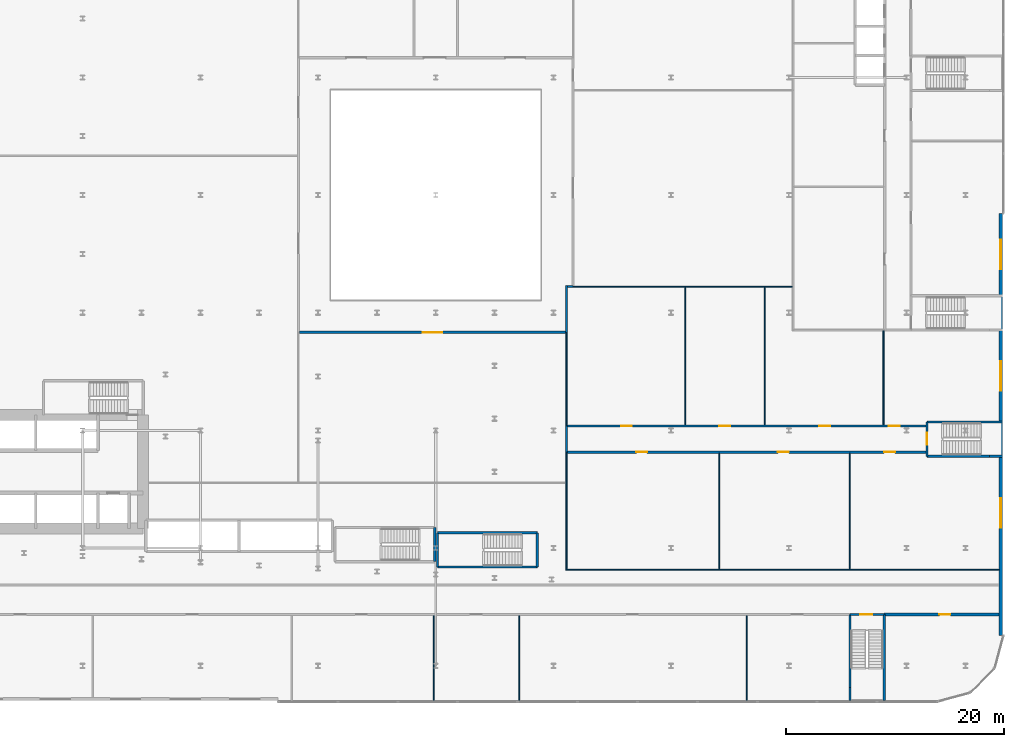
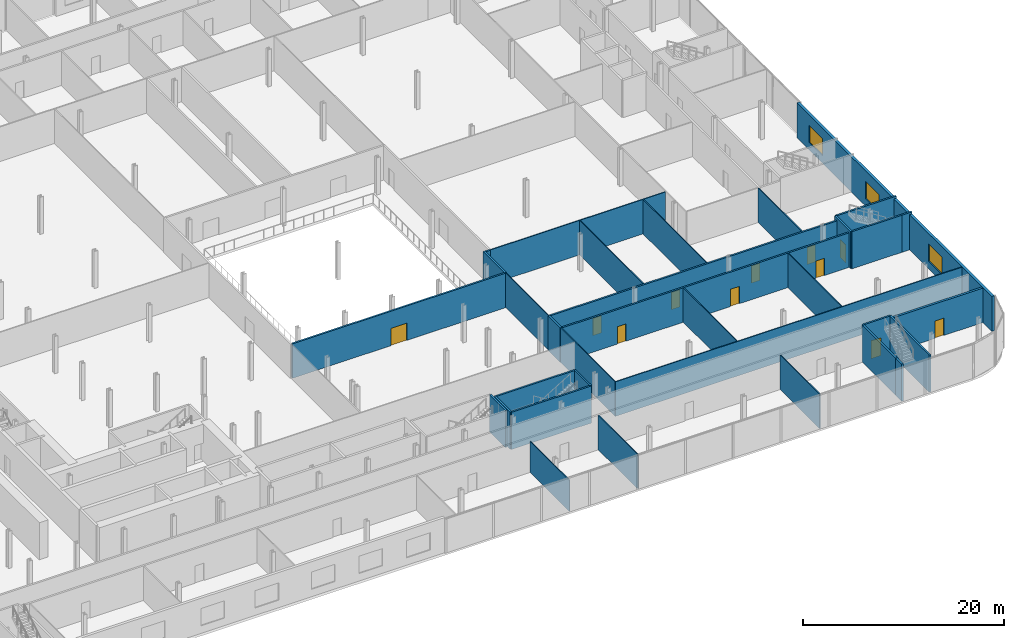
# One storey, part 32 of 47: 33 walls, 11 doors, 3 windows, 14 openings.
"""IFC4 building model written with IfcOpenShell, lengths in metres."""

from ifc_helpers import new_model, si_unit, direction, frame, frame_2d, origin, place, context, subcontext, project, spatial, rectangle, extrude, source, transform, mapped, material, layer, layer_set, type_object, element, fill, save


model = new_model("IFC4")

# Units and contexts
model_context = context("Model", 3, precision=1e-05, world=origin(), true_north=direction((0.0, 1.0)))
body_context = subcontext(model_context, "Body", "Model", "MODEL_VIEW")
ifc_project = project(units=[si_unit("LENGTHUNIT", "METRE"), si_unit("AREAUNIT", "SQUARE_METRE"), si_unit("VOLUMEUNIT", "CUBIC_METRE"), si_unit("PLANEANGLEUNIT", "RADIAN"), si_unit("MASSUNIT", "GRAM", prefix="KILO")], contexts=[model_context])

# Site, building, storey
site_placement = place(None, origin())
site = spatial("IfcSite", under=ifc_project, at=site_placement, CompositionType="ELEMENT")
building_placement = place(site_placement, origin())
building = spatial("IfcBuilding", under=site, at=building_placement, Name="Kheshtan School and Residences Tower", CompositionType="ELEMENT")
storey_placement = place(building_placement, frame((0.0, 0.0, 17.0)))
storey = spatial("IfcBuildingStorey", under=building, at=storey_placement, Name="L03", CompositionType="ELEMENT", Elevation=17.0)

# Wall, opening, door
ifc_material_1 = material(Name="Gypsum board on steel studs with fire boards", Category="steel")
ifc_layer_1 = layer(ifc_material_1, 0.199951171875)
ifc_layer_set_1 = layer_set([ifc_layer_1], Name="Corridor wall 200")
wall_type_1 = type_object("IfcWallType", Name="Corridor wall 200", PredefinedType="PARTITIONING", material=ifc_layer_set_1)
wall_1_placement = place(storey_placement, frame((67.5, 43.800048828125, 0.0), z_axis=(0.0, 0.0, 1.0), x_axis=(1.0, 0.0, 0.0)))
wall_1 = element("IfcWall", 1, at=wall_1_placement, inside=storey, type_object=wall_type_1, Name="Partition L03-032", PredefinedType="PARTITIONING", context=body_context, shape_type="SweptSolid", body=[
    extrude(rectangle(XDim=24.39990234375, YDim=0.199951171875, at=frame_2d((12.199951171875, 0.0))), origin(), (0.0, 0.0, 1.0), 4.179931640625),
])
opening_1_placement = place(wall_1_placement, frame((11.300048828125, 0.0, 0.0)))
opening_1 = element("IfcOpeningElement", 2, at=opening_1_placement, cuts=wall_1, Name="Opening D03-044", PredefinedType="OPENING", context=body_context, shape_type="SweptSolid", body=[
    extrude(rectangle(XDim=1.800048828125, YDim=2.10009765625, at=frame_2d((0.89990234375, 1.050048828125))), frame((0.0, 0.10986328125, 0.0), z_axis=(0.0, -1.0, 0.0), x_axis=(1.0, 0.0, 0.0)), (0.0, 0.0, 1.0), 0.219970703125),
])
ifc_material_2 = material(Name="Steel-framed fire-resisting door leaf", Category="steel")
door_type_1 = type_object("IfcDoorType", Name="Fire double door FD60 1800 x 2100", OperationType="DOUBLE_DOOR_SINGLE_SWING", PredefinedType="DOOR", material=ifc_material_2)
shared_shape_1 = source(origin(), body_context, "Body", "SweptSolid", [
    extrude(rectangle(XDim=1.800048828125, YDim=2.10009765625, at=frame_2d((0.89990234375, 1.050048828125))), frame((0.0, 0.02490234375, 0.0), z_axis=(0.0, -1.0, 0.0), x_axis=(1.0, 0.0, 0.0)), (0.0, 0.0, 1.0), 0.050048828125),
])
door_1_placement = place(opening_1_placement, origin())
door_1 = element("IfcDoor", 3, at=door_1_placement, inside=storey, type_object=door_type_1, Name="Door D03-044", OperationType="DOUBLE_DOOR_SINGLE_SWING", OverallHeight=2.10009765625, OverallWidth=1.800048828125, PredefinedType="DOOR", context=body_context, shape_type="MappedRepresentation", body=[
    mapped(shared_shape_1, transform((0.0, 0.0, 0.0), x_axis=(1.0, 0.0, 0.0), y_axis=(0.0, 1.0, 0.0), z_axis=(0.0, 0.0, 1.0), scale=1.0)),
])
fill(opening_1, door_1)

# Walls
wall_2_placement = place(storey_placement, frame((92.0, 32.800048828125, 0.0), z_axis=(0.0, 0.0, 1.0), x_axis=(0.0, 1.0, 0.0)))
element("IfcWall", 4, at=wall_2_placement, inside=storey, type_object=wall_type_1, Name="Partition L03-047", PredefinedType="PARTITIONING", context=body_context, shape_type="SweptSolid", body=[
    extrude(rectangle(XDim=2.39990234375, YDim=0.199951171875, at=frame_2d((1.199951171875, 0.0))), origin(), (0.0, 0.0, 1.0), 4.179931640625),
])
wall_3_placement = place(storey_placement, frame((92.0, 43.800048828125, 0.0), z_axis=(0.0, 0.0, 1.0), x_axis=(0.0, 1.0, 0.0)))
element("IfcWall", 5, at=wall_3_placement, inside=storey, type_object=wall_type_1, Name="Partition L03-049", PredefinedType="PARTITIONING", context=body_context, shape_type="SweptSolid", body=[
    extrude(rectangle(XDim=4.300048828125, YDim=0.199951171875, at=frame_2d((2.14990234375, 0.0))), origin(), (0.0, 0.0, 1.0), 4.179931640625),
])

# Wall, openings, doors
wall_4_placement = place(storey_placement, frame((92.10009765625, 32.800048828125, 0.0), z_axis=(0.0, 0.0, 1.0), x_axis=(1.0, 0.0, 0.0)))
wall_4 = element("IfcWall", 6, at=wall_4_placement, inside=storey, type_object=wall_type_1, Name="Partition L03-050", PredefinedType="PARTITIONING", context=body_context, shape_type="SweptSolid", body=[
    extrude(rectangle(XDim=32.880859375, YDim=0.199951171875, at=frame_2d((16.4404296875, 0.0))), origin(), (0.0, 0.0, 1.0), 4.179931640625),
])
opening_2_placement = place(wall_4_placement, frame((6.300048828125, 0.0, 0.0)))
opening_2 = element("IfcOpeningElement", 7, at=opening_2_placement, cuts=wall_4, Name="Opening D03-045", PredefinedType="OPENING", context=body_context, shape_type="SweptSolid", body=[
    extrude(rectangle(XDim=1.0, YDim=2.10009765625, at=frame_2d((0.5, 1.050048828125))), frame((0.0, 0.10986328125, 0.0), z_axis=(0.0, -1.0, 0.0), x_axis=(1.0, 0.0, 0.0)), (0.0, 0.0, 1.0), 0.219970703125),
])
opening_3_placement = place(wall_4_placement, frame((19.300048828125, 0.0, 0.0)))
opening_3 = element("IfcOpeningElement", 8, at=opening_3_placement, cuts=wall_4, Name="Opening D03-046", PredefinedType="OPENING", context=body_context, shape_type="SweptSolid", body=[
    extrude(rectangle(XDim=1.0, YDim=2.10009765625, at=frame_2d((0.5, 1.050048828125))), frame((0.0, 0.10986328125, 0.0), z_axis=(0.0, -1.0, 0.0), x_axis=(1.0, 0.0, 0.0)), (0.0, 0.0, 1.0), 0.219970703125),
])
opening_4_placement = place(wall_4_placement, frame((29.050048828125, 0.0, 0.0)))
opening_4 = element("IfcOpeningElement", 9, at=opening_4_placement, cuts=wall_4, Name="Opening D03-047", PredefinedType="OPENING", context=body_context, shape_type="SweptSolid", body=[
    extrude(rectangle(XDim=1.0, YDim=2.10009765625, at=frame_2d((0.5, 1.050048828125))), frame((0.0, 0.10986328125, 0.0), z_axis=(0.0, -1.0, 0.0), x_axis=(1.0, 0.0, 0.0)), (0.0, 0.0, 1.0), 0.219970703125),
])
door_type_2 = type_object("IfcDoorType", Name="Fire door FD60 1000 x 2100", OperationType="SINGLE_SWING_LEFT", PredefinedType="DOOR", material=ifc_material_2)
shared_shape_2 = source(origin(), body_context, "Body", "SweptSolid", [
    extrude(rectangle(XDim=1.0, YDim=2.10009765625, at=frame_2d((0.5, 1.050048828125))), frame((0.0, 0.02490234375, 0.0), z_axis=(0.0, -1.0, 0.0), x_axis=(1.0, 0.0, 0.0)), (0.0, 0.0, 1.0), 0.050048828125),
])
door_2_placement = place(opening_2_placement, origin())
door_2 = element("IfcDoor", 10, at=door_2_placement, inside=storey, type_object=door_type_2, Name="Door D03-045", OperationType="SINGLE_SWING_RIGHT", OverallHeight=2.10009765625, OverallWidth=1.0, PredefinedType="DOOR", context=body_context, shape_type="MappedRepresentation", body=[
    mapped(shared_shape_2, transform((0.0, 0.0, 0.0), x_axis=(1.0, 0.0, 0.0), y_axis=(0.0, 1.0, 0.0), z_axis=(0.0, 0.0, 1.0), scale=1.0)),
])
fill(opening_2, door_2)
door_3_placement = place(opening_3_placement, origin())
door_3 = element("IfcDoor", 11, at=door_3_placement, inside=storey, type_object=door_type_2, Name="Door D03-046", OperationType="SINGLE_SWING_RIGHT", OverallHeight=2.10009765625, OverallWidth=1.0, PredefinedType="DOOR", context=body_context, shape_type="MappedRepresentation", body=[
    mapped(shared_shape_2, transform((0.0, 0.0, 0.0), x_axis=(1.0, 0.0, 0.0), y_axis=(0.0, 1.0, 0.0), z_axis=(0.0, 0.0, 1.0), scale=1.0)),
])
fill(opening_3, door_3)
door_4_placement = place(opening_4_placement, origin())
door_4 = element("IfcDoor", 12, at=door_4_placement, inside=storey, type_object=door_type_2, Name="Door D03-047", OperationType="SINGLE_SWING_LEFT", OverallHeight=2.10009765625, OverallWidth=1.0, PredefinedType="DOOR", context=body_context, shape_type="MappedRepresentation", body=[
    mapped(shared_shape_2, transform((0.0, 0.0, 0.0), x_axis=(1.0, 0.0, 0.0), y_axis=(0.0, 1.0, 0.0), z_axis=(0.0, 0.0, 1.0), scale=1.0)),
])
fill(opening_4, door_4)

wall_5_placement = place(storey_placement, frame((92.10009765625, 35.199951171875, 0.0), z_axis=(0.0, 0.0, 1.0), x_axis=(1.0, 0.0, 0.0)))
wall_5 = element("IfcWall", 13, at=wall_5_placement, inside=storey, type_object=wall_type_1, Name="Partition L03-051", PredefinedType="PARTITIONING", context=body_context, shape_type="SweptSolid", body=[
    extrude(rectangle(XDim=32.8798828125, YDim=0.199951171875, at=frame_2d((16.43994140625, 0.0))), origin(), (0.0, 0.0, 1.0), 4.179931640625),
])
opening_5_placement = place(wall_5_placement, frame((4.908935546875, 0.0, 0.0)))
opening_5 = element("IfcOpeningElement", 14, at=opening_5_placement, cuts=wall_5, Name="Opening D03-048", PredefinedType="OPENING", context=body_context, shape_type="SweptSolid", body=[
    extrude(rectangle(XDim=1.0, YDim=2.10009765625, at=frame_2d((0.5, 1.050048828125))), frame((0.0, 0.10986328125, 0.0), z_axis=(0.0, -1.0, 0.0), x_axis=(1.0, 0.0, 0.0)), (0.0, 0.0, 1.0), 0.219970703125),
])
opening_6_placement = place(wall_5_placement, frame((13.931884765625, 0.0, 0.0)))
opening_6 = element("IfcOpeningElement", 15, at=opening_6_placement, cuts=wall_5, Name="Opening D03-049", PredefinedType="OPENING", context=body_context, shape_type="SweptSolid", body=[
    extrude(rectangle(XDim=1.0, YDim=2.10009765625, at=frame_2d((0.5, 1.050048828125))), frame((0.0, 0.10986328125, 0.0), z_axis=(0.0, -1.0, 0.0), x_axis=(1.0, 0.0, 0.0)), (0.0, 0.0, 1.0), 0.219970703125),
])
opening_7_placement = place(wall_5_placement, frame((23.091064453125, 0.0, 0.0)))
opening_7 = element("IfcOpeningElement", 16, at=opening_7_placement, cuts=wall_5, Name="Opening D03-050", PredefinedType="OPENING", context=body_context, shape_type="SweptSolid", body=[
    extrude(rectangle(XDim=1.0, YDim=2.10009765625, at=frame_2d((0.5, 1.050048828125))), frame((0.0, 0.10986328125, 0.0), z_axis=(0.0, -1.0, 0.0), x_axis=(1.0, 0.0, 0.0)), (0.0, 0.0, 1.0), 0.219970703125),
])
opening_8_placement = place(wall_5_placement, frame((29.47705078125, 0.0, 0.0)))
opening_8 = element("IfcOpeningElement", 17, at=opening_8_placement, cuts=wall_5, Name="Opening D03-051", PredefinedType="OPENING", context=body_context, shape_type="SweptSolid", body=[
    extrude(rectangle(XDim=1.0, YDim=2.10009765625, at=frame_2d((0.5, 1.050048828125))), frame((0.0, 0.10986328125, 0.0), z_axis=(0.0, -1.0, 0.0), x_axis=(1.0, 0.0, 0.0)), (0.0, 0.0, 1.0), 0.219970703125),
])
door_5_placement = place(opening_5_placement, origin())
door_5 = element("IfcDoor", 18, at=door_5_placement, inside=storey, type_object=door_type_2, Name="Door D03-048", OperationType="SINGLE_SWING_LEFT", OverallHeight=2.10009765625, OverallWidth=1.0, PredefinedType="DOOR", context=body_context, shape_type="MappedRepresentation", body=[
    mapped(shared_shape_2, transform((0.0, 0.0, 0.0), x_axis=(1.0, 0.0, 0.0), y_axis=(0.0, 1.0, 0.0), z_axis=(0.0, 0.0, 1.0), scale=1.0)),
])
fill(opening_5, door_5)
door_6_placement = place(opening_6_placement, origin())
door_6 = element("IfcDoor", 19, at=door_6_placement, inside=storey, type_object=door_type_2, Name="Door D03-049", OperationType="SINGLE_SWING_LEFT", OverallHeight=2.10009765625, OverallWidth=1.0, PredefinedType="DOOR", context=body_context, shape_type="MappedRepresentation", body=[
    mapped(shared_shape_2, transform((0.0, 0.0, 0.0), x_axis=(1.0, 0.0, 0.0), y_axis=(0.0, 1.0, 0.0), z_axis=(0.0, 0.0, 1.0), scale=1.0)),
])
fill(opening_6, door_6)
door_7_placement = place(opening_7_placement, origin())
door_7 = element("IfcDoor", 20, at=door_7_placement, inside=storey, type_object=door_type_2, Name="Door D03-050", OperationType="SINGLE_SWING_LEFT", OverallHeight=2.10009765625, OverallWidth=1.0, PredefinedType="DOOR", context=body_context, shape_type="MappedRepresentation", body=[
    mapped(shared_shape_2, transform((0.0, 0.0, 0.0), x_axis=(1.0, 0.0, 0.0), y_axis=(0.0, 1.0, 0.0), z_axis=(0.0, 0.0, 1.0), scale=1.0)),
])
fill(opening_7, door_7)
door_8_placement = place(opening_8_placement, origin())
door_8 = element("IfcDoor", 21, at=door_8_placement, inside=storey, type_object=door_type_2, Name="Door D03-051", OperationType="SINGLE_SWING_LEFT", OverallHeight=2.10009765625, OverallWidth=1.0, PredefinedType="DOOR", context=body_context, shape_type="MappedRepresentation", body=[
    mapped(shared_shape_2, transform((0.0, 0.0, 0.0), x_axis=(1.0, 0.0, 0.0), y_axis=(0.0, 1.0, 0.0), z_axis=(0.0, 0.0, 1.0), scale=1.0)),
])
fill(opening_8, door_8)

# Walls
wall_6_placement = place(storey_placement, frame((92.10009765625, 48.0, 0.0), z_axis=(0.0, 0.0, 1.0), x_axis=(1.0, 0.0, 0.0)))
element("IfcWall", 22, at=wall_6_placement, inside=storey, type_object=wall_type_1, Name="Partition L03-052", PredefinedType="PARTITIONING", context=body_context, shape_type="SweptSolid", body=[
    extrude(rectangle(XDim=0.5, YDim=0.199951171875, at=frame_2d((0.25, 0.0))), origin(), (0.0, 0.0, 1.0), 4.179931640625),
])
ifc_material_3 = material(Name="Gypsum board on steel studs", Category="steel")
ifc_layer_2 = layer(ifc_material_3, 0.10009765625)
ifc_layer_set_2 = layer_set([ifc_layer_2], Name="Gypsum partition 100")
wall_type_2 = type_object("IfcWallType", Name="Gypsum partition 100", PredefinedType="PARTITIONING", material=ifc_layer_set_2)
wall_7_placement = place(storey_placement, frame((79.825927734375, 10.0, 0.0), z_axis=(0.0, 0.0, 1.0), x_axis=(0.0, 1.0, 0.0)))
element("IfcWall", 23, at=wall_7_placement, inside=storey, type_object=wall_type_2, Name="Partition L03-038", PredefinedType="PARTITIONING", context=body_context, shape_type="SweptSolid", body=[
    extrude(rectangle(XDim=7.800048828125, YDim=0.10009765625, at=frame_2d((3.89990234375, 0.0))), origin(), (0.0, 0.0, 1.0), 3.762939453125),
])
wall_8_placement = place(storey_placement, frame((87.652099609375, 10.0, 0.0), z_axis=(0.0, 0.0, 1.0), x_axis=(0.0, 1.0, 0.0)))
element("IfcWall", 24, at=wall_8_placement, inside=storey, type_object=wall_type_2, Name="Partition L03-044", PredefinedType="PARTITIONING", context=body_context, shape_type="SweptSolid", body=[
    extrude(rectangle(XDim=7.800048828125, YDim=0.10009765625, at=frame_2d((3.89990234375, 0.0))), origin(), (0.0, 0.0, 1.0), 4.179931640625),
])
wall_9_placement = place(storey_placement, frame((91.949951171875, 22.0, 0.0), z_axis=(0.0, 0.0, 1.0), x_axis=(1.0, 0.0, 0.0)))
element("IfcWall", 25, at=wall_9_placement, inside=storey, type_object=wall_type_2, Name="Partition L03-045", PredefinedType="PARTITIONING", context=body_context, shape_type="SweptSolid", body=[
    extrude(rectangle(XDim=39.7509765625, YDim=0.10009765625, at=frame_2d((19.87548828125, 0.0))), origin(), (0.0, 0.0, 1.0), 4.179931640625),
])
wall_10_placement = place(storey_placement, frame((92.0, 22.050048828125, 0.0), z_axis=(0.0, 0.0, 1.0), x_axis=(0.0, 1.0, 0.0)))
element("IfcWall", 26, at=wall_10_placement, inside=storey, type_object=wall_type_2, Name="Partition L03-046", PredefinedType="PARTITIONING", context=body_context, shape_type="SweptSolid", body=[
    extrude(rectangle(XDim=10.75, YDim=0.10009765625, at=frame_2d((5.375, 0.0))), origin(), (0.0, 0.0, 1.0), 4.179931640625),
])
wall_11_placement = place(storey_placement, frame((92.0, 35.199951171875, 0.0), z_axis=(0.0, 0.0, 1.0), x_axis=(0.0, 1.0, 0.0)))
element("IfcWall", 27, at=wall_11_placement, inside=storey, type_object=wall_type_2, Name="Partition L03-048", PredefinedType="PARTITIONING", context=body_context, shape_type="SweptSolid", body=[
    extrude(rectangle(XDim=8.60009765625, YDim=0.10009765625, at=frame_2d((4.300048828125, 0.0))), origin(), (0.0, 0.0, 1.0), 4.179931640625),
])
wall_12_placement = place(storey_placement, frame((92.60009765625, 48.0, 0.0), z_axis=(0.0, 0.0, 1.0), x_axis=(1.0, 0.0, 0.0)))
element("IfcWall", 28, at=wall_12_placement, inside=storey, type_object=wall_type_2, Name="Partition L03-053", PredefinedType="PARTITIONING", context=body_context, shape_type="SweptSolid", body=[
    extrude(rectangle(XDim=20.137939453125, YDim=0.10009765625, at=frame_2d((10.06884765625, 0.0))), origin(), (0.0, 0.0, 1.0), 4.179931640625),
])
wall_13_placement = place(storey_placement, frame((102.908935546875, 35.300048828125, 0.0), z_axis=(0.0, 0.0, 1.0), x_axis=(0.0, 1.0, 0.0)))
element("IfcWall", 29, at=wall_13_placement, inside=storey, type_object=wall_type_2, Name="Partition L03-061", PredefinedType="PARTITIONING", context=body_context, shape_type="SweptSolid", body=[
    extrude(rectangle(XDim=12.64990234375, YDim=0.10009765625, at=frame_2d((6.324951171875, 0.0))), origin(), (0.0, 0.0, 1.0), 4.179931640625),
])
wall_14_placement = place(storey_placement, frame((106.0, 22.050048828125, 0.0), z_axis=(0.0, 0.0, 1.0), x_axis=(0.0, 1.0, 0.0)))
element("IfcWall", 30, at=wall_14_placement, inside=storey, type_object=wall_type_2, Name="Partition L03-062", PredefinedType="PARTITIONING", context=body_context, shape_type="SweptSolid", body=[
    extrude(rectangle(XDim=10.64990234375, YDim=0.10009765625, at=frame_2d((5.324951171875, 0.0))), origin(), (0.0, 0.0, 1.0), 4.179931640625),
])
wall_15_placement = place(storey_placement, frame((108.52197265625, 10.0, 0.0), z_axis=(0.0, 0.0, 1.0), x_axis=(0.0, 1.0, 0.0)))
element("IfcWall", 31, at=wall_15_placement, inside=storey, type_object=wall_type_2, Name="Partition L03-064", PredefinedType="PARTITIONING", context=body_context, shape_type="SweptSolid", body=[
    extrude(rectangle(XDim=7.800048828125, YDim=0.10009765625, at=frame_2d((3.89990234375, 0.0))), origin(), (0.0, 0.0, 1.0), 4.179931640625),
])
wall_16_placement = place(storey_placement, frame((110.181884765625, 35.300048828125, 0.0), z_axis=(0.0, 0.0, 1.0), x_axis=(0.0, 1.0, 0.0)))
element("IfcWall", 32, at=wall_16_placement, inside=storey, type_object=wall_type_2, Name="Partition L03-065", PredefinedType="PARTITIONING", context=body_context, shape_type="SweptSolid", body=[
    extrude(rectangle(XDim=12.64990234375, YDim=0.10009765625, at=frame_2d((6.324951171875, 0.0))), origin(), (0.0, 0.0, 1.0), 4.179931640625),
])
wall_17_placement = place(storey_placement, frame((118.0, 22.050048828125, 0.0), z_axis=(0.0, 0.0, 1.0), x_axis=(0.0, 1.0, 0.0)))
element("IfcWall", 33, at=wall_17_placement, inside=storey, type_object=wall_type_2, Name="Partition L03-074", PredefinedType="PARTITIONING", context=body_context, shape_type="SweptSolid", body=[
    extrude(rectangle(XDim=10.64990234375, YDim=0.10009765625, at=frame_2d((5.324951171875, 0.0))), origin(), (0.0, 0.0, 1.0), 4.179931640625),
])
wall_18_placement = place(storey_placement, frame((121.091064453125, 35.300048828125, 0.0), z_axis=(0.0, 0.0, 1.0), x_axis=(0.0, 1.0, 0.0)))
element("IfcWall", 34, at=wall_18_placement, inside=storey, type_object=wall_type_2, Name="Partition L03-079", PredefinedType="PARTITIONING", context=body_context, shape_type="SweptSolid", body=[
    extrude(rectangle(XDim=8.637939453125, YDim=0.10009765625, at=frame_2d((4.31884765625, 0.0))), origin(), (0.0, 0.0, 1.0), 4.179931640625),
])

# Wall, opening, door
ifc_material_4 = material(Name="Fire-board and steel stud wall with mineral wool", Category="steel")
ifc_layer_3 = layer(ifc_material_4, 0.25)
ifc_layer_set_3 = layer_set([ifc_layer_3], Name="Plant room wall 250")
wall_type_3 = type_object("IfcWallType", Name="Plant room wall 250", PredefinedType="PARTITIONING", material=ifc_layer_set_3)
wall_19_placement = place(storey_placement, frame((121.14990234375, 17.89990234375, 0.0), z_axis=(0.0, 0.0, 1.0), x_axis=(1.0, 0.0, 0.0)))
wall_19 = element("IfcWall", 35, at=wall_19_placement, inside=storey, type_object=wall_type_3, Name="Partition L03-080", PredefinedType="PARTITIONING", context=body_context, shape_type="SweptSolid", body=[
    extrude(rectangle(XDim=10.551025390625, YDim=0.25, at=frame_2d((5.275390625, 0.0))), origin(), (0.0, 0.0, 1.0), 4.179931640625),
])
opening_9_placement = place(wall_19_placement, frame((5.06494140625, 0.0, 0.0)))
opening_9 = element("IfcOpeningElement", 36, at=opening_9_placement, cuts=wall_19, Name="Opening D03-043", PredefinedType="OPENING", context=body_context, shape_type="SweptSolid", body=[
    extrude(rectangle(XDim=1.0, YDim=2.10009765625, at=frame_2d((0.5, 1.050048828125))), frame((0.0, 0.135009765625, 0.0), z_axis=(0.0, -1.0, 0.0), x_axis=(1.0, 0.0, 0.0)), (0.0, 0.0, 1.0), 0.27001953125),
])
door_type_3 = type_object("IfcDoorType", Name="Fire door FD120 1000 x 2100", OperationType="SINGLE_SWING_LEFT", PredefinedType="DOOR", material=ifc_material_2)
shared_shape_3 = source(origin(), body_context, "Body", "SweptSolid", [
    extrude(rectangle(XDim=1.0, YDim=2.10009765625, at=frame_2d((0.5, 1.050048828125))), frame((0.0, 0.02490234375, 0.0), z_axis=(0.0, -1.0, 0.0), x_axis=(1.0, 0.0, 0.0)), (0.0, 0.0, 1.0), 0.050048828125),
])
door_9_placement = place(opening_9_placement, origin())
door_9 = element("IfcDoor", 37, at=door_9_placement, inside=storey, type_object=door_type_3, Name="Door D03-043", OperationType="SINGLE_SWING_RIGHT", OverallHeight=2.10009765625, OverallWidth=1.0, PredefinedType="DOOR", context=body_context, shape_type="MappedRepresentation", body=[
    mapped(shared_shape_3, transform((0.0, 0.0, 0.0), x_axis=(1.0, 0.0, 0.0), y_axis=(0.0, 1.0, 0.0), z_axis=(0.0, 0.0, 1.0), scale=1.0)),
])
fill(opening_9, door_9)

# Wall, openings, windows
ifc_material_5 = material(Name="Concrete C40/50 with ceramic cladding and mineral wool insulation", Category="concrete")
ifc_layer_4 = layer(ifc_material_5, 0.300048828125)
ifc_layer_set_4 = layer_set([ifc_layer_4], Name="Podium external wall 300")
wall_type_4 = type_object("IfcWallType", Name="Podium external wall 300", PredefinedType="SOLIDWALL", material=ifc_layer_set_4)
wall_20_placement = place(storey_placement, frame((131.85009765625, 54.719970703125, 0.0), z_axis=(0.0, 0.0, 1.0), x_axis=(0.0, -1.0, 0.0)))
wall_20 = element("IfcWall", 38, at=wall_20_placement, inside=storey, type_object=wall_type_4, Name="Podium external wall L03 8.1", PredefinedType="SOLIDWALL", context=body_context, shape_type="SweptSolid", body=[
    extrude(rectangle(XDim=38.719970703125, YDim=0.300048828125, at=frame_2d((19.35986328125, 0.0))), origin(), (0.0, 0.0, 1.0), 4.25),
])
opening_10_placement = place(wall_20_placement, frame((2.43505859375, 0.0, 0.89990234375)))
opening_10 = element("IfcOpeningElement", 39, at=opening_10_placement, cuts=wall_20, Name="Opening WN-D", PredefinedType="OPENING", context=body_context, shape_type="SweptSolid", body=[
    extrude(rectangle(XDim=2.699951171875, YDim=2.10009765625, at=frame_2d((1.35009765625, 1.050048828125))), frame((0.0, 0.16015625, 0.0), z_axis=(0.0, -1.0, 0.0), x_axis=(1.0, 0.0, 0.0)), (0.0, 0.0, 1.0), 0.320068359375),
])
opening_11_placement = place(wall_20_placement, frame((13.580078125, 0.0, 0.89990234375)))
opening_11 = element("IfcOpeningElement", 40, at=opening_11_placement, cuts=wall_20, Name="Opening WN-D", PredefinedType="OPENING", context=body_context, shape_type="SweptSolid", body=[
    extrude(rectangle(XDim=2.699951171875, YDim=2.10009765625, at=frame_2d((1.35009765625, 1.050048828125))), frame((0.0, 0.16015625, 0.0), z_axis=(0.0, -1.0, 0.0), x_axis=(1.0, 0.0, 0.0)), (0.0, 0.0, 1.0), 0.320068359375),
])
opening_12_placement = place(wall_20_placement, frame((26.159912109375, 0.0, 0.89990234375)))
opening_12 = element("IfcOpeningElement", 41, at=opening_12_placement, cuts=wall_20, Name="Opening WN-D", PredefinedType="OPENING", context=body_context, shape_type="SweptSolid", body=[
    extrude(rectangle(XDim=2.699951171875, YDim=2.10009765625, at=frame_2d((1.35009765625, 1.050048828125))), frame((0.0, 0.16015625, 0.0), z_axis=(0.0, -1.0, 0.0), x_axis=(1.0, 0.0, 0.0)), (0.0, 0.0, 1.0), 0.320068359375),
])
ifc_material_6 = material(Name="Clear low-e glass in thermally broken aluminium frame", Category="aluminium")
window_type = type_object("IfcWindowType", Name="Window WN-D", PartitioningType="SINGLE_PANEL", PredefinedType="WINDOW", material=ifc_material_6)
shared_shape_4 = source(origin(), body_context, "Body", "SweptSolid", [
    extrude(rectangle(XDim=2.699951171875, YDim=2.10009765625, at=frame_2d((1.35009765625, 1.050048828125))), frame((0.0, 0.030029296875, 0.0), z_axis=(0.0, -1.0, 0.0), x_axis=(1.0, 0.0, 0.0)), (0.0, 0.0, 1.0), 0.06005859375),
])
window_1_placement = place(opening_10_placement, origin())
window_1 = element("IfcWindow", 42, at=window_1_placement, inside=storey, type_object=window_type, Name="Window L03 8.1.1", OverallHeight=2.10009765625, OverallWidth=2.699951171875, PartitioningType="SINGLE_PANEL", PredefinedType="WINDOW", context=body_context, shape_type="MappedRepresentation", body=[
    mapped(shared_shape_4, transform((0.0, 0.0, 0.0), x_axis=(1.0, 0.0, 0.0), y_axis=(0.0, 1.0, 0.0), z_axis=(0.0, 0.0, 1.0), scale=1.0)),
])
fill(opening_10, window_1)
window_2_placement = place(opening_11_placement, origin())
window_2 = element("IfcWindow", 43, at=window_2_placement, inside=storey, type_object=window_type, Name="Window L03 8.1.2", OverallHeight=2.10009765625, OverallWidth=2.699951171875, PartitioningType="SINGLE_PANEL", PredefinedType="WINDOW", context=body_context, shape_type="MappedRepresentation", body=[
    mapped(shared_shape_4, transform((0.0, 0.0, 0.0), x_axis=(1.0, 0.0, 0.0), y_axis=(0.0, 1.0, 0.0), z_axis=(0.0, 0.0, 1.0), scale=1.0)),
])
fill(opening_11, window_2)
window_3_placement = place(opening_12_placement, origin())
window_3 = element("IfcWindow", 44, at=window_3_placement, inside=storey, type_object=window_type, Name="Window L03 8.1.3", OverallHeight=2.10009765625, OverallWidth=2.699951171875, PartitioningType="SINGLE_PANEL", PredefinedType="WINDOW", context=body_context, shape_type="MappedRepresentation", body=[
    mapped(shared_shape_4, transform((0.0, 0.0, 0.0), x_axis=(1.0, 0.0, 0.0), y_axis=(0.0, 1.0, 0.0), z_axis=(0.0, 0.0, 1.0), scale=1.0)),
])
fill(opening_12, window_3)

# Walls
ifc_material_7 = material(Name="Concrete C40/50", Category="concrete")
ifc_layer_5 = layer(ifc_material_7, 0.199951171875)
ifc_layer_set_5 = layer_set([ifc_layer_5], Name="Stair enclosure wall 200 Concrete C40/50")
wall_type_5 = type_object("IfcWallType", Name="Stair enclosure wall 200 Concrete C40/50", PredefinedType="SHEAR", material=ifc_layer_set_5)
for number, where, z_axis, x_axis, name in (
    (45, (80.159912109375, 22.25, 0.0), (0.0, 0.0, 1.0), (1.0, 0.0, 0.0), "Stair enclosure wall ST4"),
    (46, (80.159912109375, 25.39990234375, 0.0), (0.0, 0.0, 1.0), (1.0, 0.0, 0.0), "Stair enclosure wall ST4"),
):
    element("IfcWall", number, at=place(storey_placement, frame(where, z_axis=z_axis, x_axis=x_axis)), inside=storey, type_object=wall_type_5, Name=name, PredefinedType="SHEAR", context=body_context, shape_type="SweptSolid", body=[
        extrude(rectangle(XDim=9.16015625, YDim=0.199951171875, at=frame_2d((4.580078125, 0.0))), origin(), (0.0, 0.0, 1.0), 4.5),
    ])
for number, where, z_axis, x_axis, name in (
    (47, (80.159912109375, 22.25, 0.0), (0.0, 0.0, 1.0), (0.0, 1.0, 0.0), "Stair enclosure wall ST4"),
    (48, (89.320068359375, 22.25, 0.0), (0.0, 0.0, 1.0), (0.0, 1.0, 0.0), "Stair enclosure wall ST4"),
    (49, (79.909912109375, 22.75, 0.0), (0.0, 0.0, 1.0), (0.0, 1.0, 0.0), "Stair enclosure wall ST5"),
):
    element("IfcWall", number, at=place(storey_placement, frame(where, z_axis=z_axis, x_axis=x_axis)), inside=storey, type_object=wall_type_5, Name=name, PredefinedType="SHEAR", context=body_context, shape_type="SweptSolid", body=[
        extrude(rectangle(XDim=3.14990234375, YDim=0.199951171875, at=frame_2d((1.574951171875, 0.0))), origin(), (0.0, 0.0, 1.0), 4.5),
    ])

# Wall, opening, door
wall_21_placement = place(storey_placement, frame((118.0, 17.89990234375, 0.0), z_axis=(0.0, 0.0, 1.0), x_axis=(1.0, 0.0, 0.0)))
wall_21 = element("IfcWall", 50, at=wall_21_placement, inside=storey, type_object=wall_type_5, Name="Stair enclosure wall", PredefinedType="SHEAR", context=body_context, shape_type="SweptSolid", body=[
    extrude(rectangle(XDim=3.14990234375, YDim=0.199951171875, at=frame_2d((1.574951171875, 0.0))), origin(), (0.0, 0.0, 1.0), 4.5),
])
opening_13_placement = place(wall_21_placement, frame((0.949951171875, 0.0, 0.0)))
opening_13 = element("IfcOpeningElement", 51, at=opening_13_placement, cuts=wall_21, Name="Opening SD90", PredefinedType="OPENING", context=body_context, shape_type="SweptSolid", body=[
    extrude(rectangle(XDim=1.10009765625, YDim=2.199951171875, at=frame_2d((0.550048828125, 1.10009765625))), frame((0.0, 0.10986328125, 0.0), z_axis=(0.0, -1.0, 0.0), x_axis=(1.0, 0.0, 0.0)), (0.0, 0.0, 1.0), 0.219970703125),
])
ifc_material_8 = material(Name="Steel door leaf, galvanised", Category="steel")
door_type_4 = type_object("IfcDoorType", Name="Stair door 1100 steel 90 min", OperationType="SINGLE_SWING_LEFT", PredefinedType="DOOR", material=ifc_material_8)
shared_shape_5 = source(origin(), body_context, "Body", "SweptSolid", [
    extrude(rectangle(XDim=1.10009765625, YDim=2.199951171875, at=frame_2d((0.550048828125, 1.10009765625))), frame((0.0, 0.02490234375, 0.0), z_axis=(0.0, -1.0, 0.0), x_axis=(1.0, 0.0, 0.0)), (0.0, 0.0, 1.0), 0.050048828125),
])
door_10_placement = place(opening_13_placement, origin())
door_10 = element("IfcDoor", 52, at=door_10_placement, inside=storey, type_object=door_type_4, Name="Stair door", OperationType="SINGLE_SWING_RIGHT", OverallHeight=2.199951171875, OverallWidth=1.10009765625, PredefinedType="DOOR", context=body_context, shape_type="MappedRepresentation", body=[
    mapped(shared_shape_5, transform((0.0, 0.0, 0.0), x_axis=(1.0, 0.0, 0.0), y_axis=(0.0, 1.0, 0.0), z_axis=(0.0, 0.0, 1.0), scale=1.0)),
])
fill(opening_13, door_10)

# Walls
wall_22_placement = place(storey_placement, frame((118.0, 10.0, 0.0), z_axis=(0.0, 0.0, 1.0), x_axis=(0.0, 1.0, 0.0)))
element("IfcWall", 53, at=wall_22_placement, inside=storey, type_object=wall_type_5, Name="Stair enclosure wall", PredefinedType="SHEAR", context=body_context, shape_type="SweptSolid", body=[
    extrude(rectangle(XDim=1.199951171875, YDim=0.199951171875, at=frame_2d((0.60009765625, 0.0))), origin(), (0.0, 0.0, 1.0), 4.5),
])
wall_23_placement = place(storey_placement, frame((118.0, 11.199951171875, 0.0), z_axis=(0.0, 0.0, 1.0), x_axis=(0.0, 1.0, 0.0)))
element("IfcWall", 54, at=wall_23_placement, inside=storey, type_object=wall_type_5, Name="Stair enclosure wall", PredefinedType="SHEAR", context=body_context, shape_type="SweptSolid", body=[
    extrude(rectangle(XDim=6.699951171875, YDim=0.199951171875, at=frame_2d((3.35009765625, 0.0))), origin(), (0.0, 0.0, 1.0), 4.5),
])
wall_24_placement = place(storey_placement, frame((121.14990234375, 10.0, 0.0), z_axis=(0.0, 0.0, 1.0), x_axis=(0.0, 1.0, 0.0)))
element("IfcWall", 55, at=wall_24_placement, inside=storey, type_object=wall_type_5, Name="Stair enclosure wall", PredefinedType="SHEAR", context=body_context, shape_type="SweptSolid", body=[
    extrude(rectangle(XDim=7.89990234375, YDim=0.199951171875, at=frame_2d((3.949951171875, 0.0))), origin(), (0.0, 0.0, 1.0), 4.5),
])
wall_25_placement = place(storey_placement, frame((125.080078125, 32.425048828125, 0.0), z_axis=(0.0, 0.0, 1.0), x_axis=(1.0, 0.0, 0.0)))
element("IfcWall", 56, at=wall_25_placement, inside=storey, type_object=wall_type_5, Name="Stair enclosure wall", PredefinedType="SHEAR", context=body_context, shape_type="SweptSolid", body=[
    extrude(rectangle(XDim=5.719970703125, YDim=0.199951171875, at=frame_2d((2.85986328125, 0.0))), origin(), (0.0, 0.0, 1.0), 4.5),
])
wall_26_placement = place(storey_placement, frame((130.800048828125, 32.425048828125, 0.0), z_axis=(0.0, 0.0, 1.0), x_axis=(1.0, 0.0, 0.0)))
element("IfcWall", 57, at=wall_26_placement, inside=storey, type_object=wall_type_5, Name="Stair enclosure wall", PredefinedType="SHEAR", context=body_context, shape_type="SweptSolid", body=[
    extrude(rectangle(XDim=1.199951171875, YDim=0.199951171875, at=frame_2d((0.60009765625, 0.0))), origin(), (0.0, 0.0, 1.0), 4.5),
])
wall_27_placement = place(storey_placement, frame((125.080078125, 35.574951171875, 0.0), z_axis=(0.0, 0.0, 1.0), x_axis=(1.0, 0.0, 0.0)))
element("IfcWall", 58, at=wall_27_placement, inside=storey, type_object=wall_type_5, Name="Stair enclosure wall", PredefinedType="SHEAR", context=body_context, shape_type="SweptSolid", body=[
    extrude(rectangle(XDim=6.919921875, YDim=0.199951171875, at=frame_2d((3.4599609375, 0.0))), origin(), (0.0, 0.0, 1.0), 4.5),
])

# Wall, opening, door
wall_28_placement = place(storey_placement, frame((125.080078125, 32.425048828125, 0.0), z_axis=(0.0, 0.0, 1.0), x_axis=(0.0, 1.0, 0.0)))
wall_28 = element("IfcWall", 59, at=wall_28_placement, inside=storey, type_object=wall_type_5, Name="Stair enclosure wall", PredefinedType="SHEAR", context=body_context, shape_type="SweptSolid", body=[
    extrude(rectangle(XDim=3.14990234375, YDim=0.199951171875, at=frame_2d((1.574951171875, 0.0))), origin(), (0.0, 0.0, 1.0), 4.5),
])
opening_14_placement = place(wall_28_placement, frame((1.074951171875, 0.0, 0.0)))
opening_14 = element("IfcOpeningElement", 60, at=opening_14_placement, cuts=wall_28, Name="Opening SD90", PredefinedType="OPENING", context=body_context, shape_type="SweptSolid", body=[
    extrude(rectangle(XDim=1.10009765625, YDim=2.199951171875, at=frame_2d((0.550048828125, 1.10009765625))), frame((0.0, 0.10986328125, 0.0), z_axis=(0.0, -1.0, 0.0), x_axis=(1.0, 0.0, 0.0)), (0.0, 0.0, 1.0), 0.219970703125),
])
door_11_placement = place(opening_14_placement, origin())
door_11 = element("IfcDoor", 61, at=door_11_placement, inside=storey, type_object=door_type_4, Name="Stair door", OperationType="SINGLE_SWING_LEFT", OverallHeight=2.199951171875, OverallWidth=1.10009765625, PredefinedType="DOOR", context=body_context, shape_type="MappedRepresentation", body=[
    mapped(shared_shape_5, transform((0.0, 0.0, 0.0), x_axis=(1.0, 0.0, 0.0), y_axis=(0.0, 1.0, 0.0), z_axis=(0.0, 0.0, 1.0), scale=1.0)),
])
fill(opening_14, door_11)

save(model, "model.ifc")
